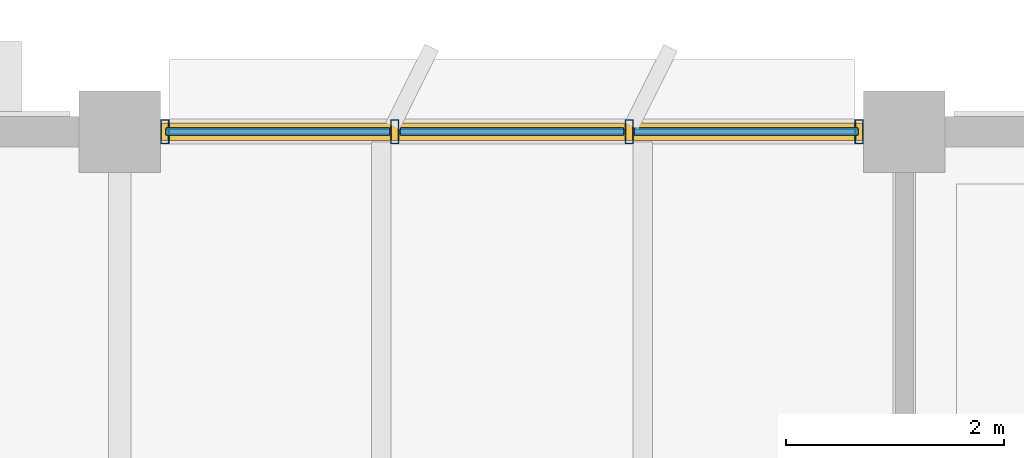
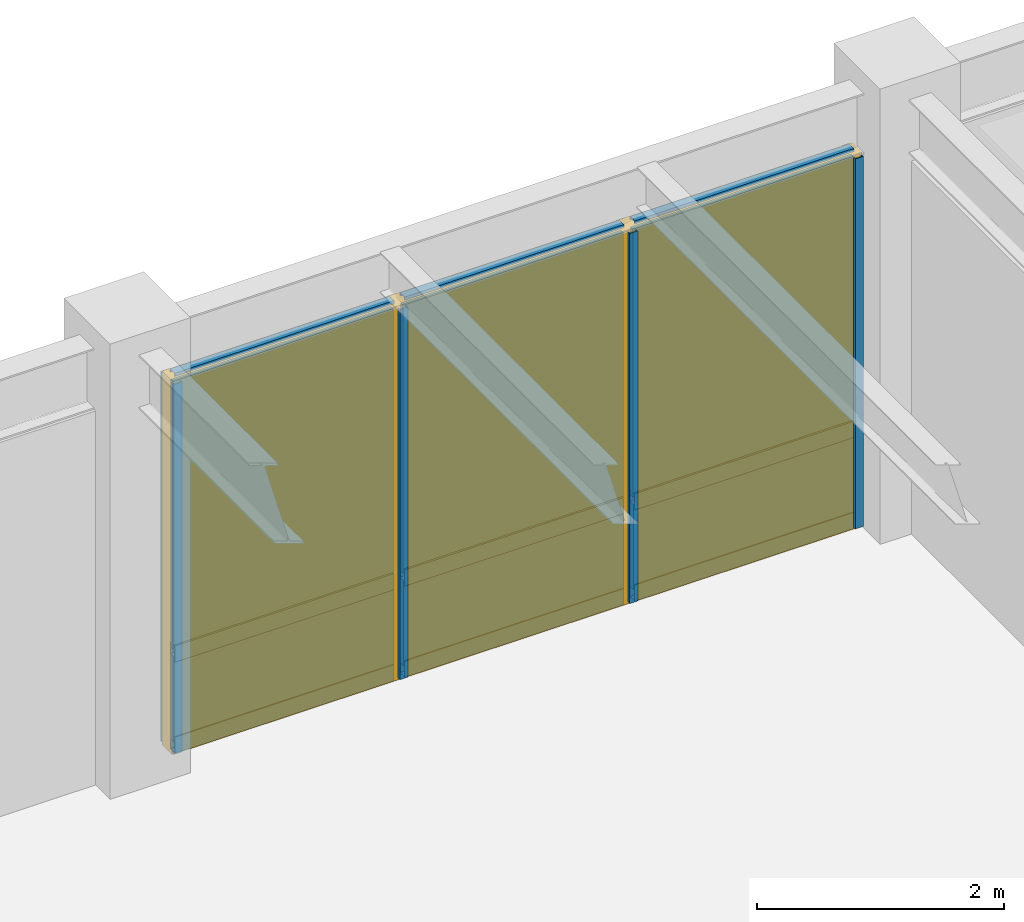
# One storey, part 68 of 92: 13 members, 6 plates, 1 curtain wall.
"""IFC4 building model written with IfcOpenShell, lengths in metres."""

from ifc_helpers import new_model, si_unit, direction, frame, origin, origin_2d, place, context, subcontext, project, spatial, rectangle, hollow_rectangle, extrude, material, layer, layer_set, material_profile, profile_set, type_object, element, aggregate, save


model = new_model("IFC4")

# Units and contexts
model_context = context("Model", 3, precision=1e-05, world=origin(), true_north=direction((0.0, 1.0)))
body_context = subcontext(model_context, "Body", "Model", "MODEL_VIEW")
ifc_project = project(units=[si_unit("LENGTHUNIT", "METRE"), si_unit("AREAUNIT", "SQUARE_METRE"), si_unit("VOLUMEUNIT", "CUBIC_METRE"), si_unit("PLANEANGLEUNIT", "RADIAN"), si_unit("MASSUNIT", "GRAM", prefix="KILO")], contexts=[model_context])

# Member
ifc_material_1 = material(Name="Anodized Aluminium 6063-T6", Category="aluminium")
ifc_material_profile_1 = material_profile(ifc_material_1, hollow_rectangle(XDim=0.074951171875, YDim=0.219970703125, WallThickness=0.0048828125, at=origin_2d()), Name="ALU 75x220x5")
ifc_profile_set_1 = profile_set([ifc_material_profile_1], Name="Anodized Aluminium 6063-T6")
member_type_1 = type_object("IfcMemberType", Name="CWM-75X180", PredefinedType="MULLION", material=ifc_profile_set_1)
site_placement = place(None, origin())
building_placement = place(site_placement, origin())
storey_placement = place(building_placement, frame((0.0, 0.0, 5.39990234375)))
member_1_placement = place(storey_placement, frame((94.014892578125, 115.199951171875, 0.02001953125), z_axis=(0.0, 0.0, 1.0), x_axis=(1.0, 0.0, 0.0)))
member_1 = element("IfcMember", 1, at=member_1_placement, type_object=member_type_1, Name="Curtain wall mullion CW-L02-13-15-N-00", PredefinedType="MULLION", context=body_context, shape_type="SweptSolid", body=[
    extrude(hollow_rectangle(XDim=0.074951171875, YDim=0.219970703125, WallThickness=0.0048828125, at=origin_2d()), origin(), (0.0, 0.0, 1.0), 3.657958984375),
])

member_2_placement = place(storey_placement, frame((96.125, 115.199951171875, 0.02001953125), z_axis=(0.0, 0.0, 1.0), x_axis=(1.0, 0.0, 0.0)))
member_2 = element("IfcMember", 2, at=member_2_placement, type_object=member_type_1, Name="Curtain wall mullion CW-L02-13-15-N-01", PredefinedType="MULLION", context=body_context, shape_type="SweptSolid", body=[
    extrude(hollow_rectangle(XDim=0.074951171875, YDim=0.219970703125, WallThickness=0.0048828125, at=origin_2d()), origin(), (0.0, 0.0, 1.0), 3.657958984375),
])

member_3_placement = place(storey_placement, frame((98.27490234375, 115.199951171875, 0.02001953125), z_axis=(0.0, 0.0, 1.0), x_axis=(1.0, 0.0, 0.0)))
member_3 = element("IfcMember", 3, at=member_3_placement, type_object=member_type_1, Name="Curtain wall mullion CW-L02-13-15-N-02", PredefinedType="MULLION", context=body_context, shape_type="SweptSolid", body=[
    extrude(hollow_rectangle(XDim=0.074951171875, YDim=0.219970703125, WallThickness=0.0048828125, at=origin_2d()), origin(), (0.0, 0.0, 1.0), 3.657958984375),
])

member_4_placement = place(storey_placement, frame((100.385009765625, 115.199951171875, 0.02001953125), z_axis=(0.0, 0.0, 1.0), x_axis=(1.0, 0.0, 0.0)))
member_4 = element("IfcMember", 4, at=member_4_placement, type_object=member_type_1, Name="Curtain wall mullion CW-L02-13-15-N-03", PredefinedType="MULLION", context=body_context, shape_type="SweptSolid", body=[
    extrude(hollow_rectangle(XDim=0.074951171875, YDim=0.219970703125, WallThickness=0.0048828125, at=origin_2d()), origin(), (0.0, 0.0, 1.0), 3.657958984375),
])

ifc_material_profile_2 = material_profile(ifc_material_1, hollow_rectangle(XDim=0.074951171875, YDim=0.159912109375, WallThickness=0.00390625, at=origin_2d()), Name="ALU 75x160x4")
ifc_profile_set_2 = profile_set([ifc_material_profile_2], Name="Anodized Aluminium 6063-T6")
member_type_2 = type_object("IfcMemberType", Name="CWT-75X150", PredefinedType="USERDEFINED", material=ifc_profile_set_2)
member_5_placement = place(storey_placement, frame((94.02490234375, 115.199951171875, 0.050048828125), z_axis=(1.0, 0.0, 0.0), x_axis=(0.0, 1.0, 0.0)))
member_5 = element("IfcMember", 5, at=member_5_placement, type_object=member_type_2, Name="Curtain wall transom CW-L02-13-15-N-1.01", ObjectType="TRANSOM", PredefinedType="USERDEFINED", context=body_context, shape_type="SweptSolid", body=[
    extrude(hollow_rectangle(XDim=0.074951171875, YDim=0.159912109375, WallThickness=0.00390625, at=origin_2d()), origin(), (0.0, 0.0, 1.0), 2.050048828125),
])

member_6_placement = place(storey_placement, frame((96.175048828125, 115.199951171875, 0.050048828125), z_axis=(1.0, 0.0, 0.0), x_axis=(0.0, 1.0, 0.0)))
member_6 = element("IfcMember", 6, at=member_6_placement, type_object=member_type_2, Name="Curtain wall transom CW-L02-13-15-N-1.02", ObjectType="TRANSOM", PredefinedType="USERDEFINED", context=body_context, shape_type="SweptSolid", body=[
    extrude(hollow_rectangle(XDim=0.074951171875, YDim=0.159912109375, WallThickness=0.00390625, at=origin_2d()), origin(), (0.0, 0.0, 1.0), 2.050048828125),
])

member_7_placement = place(storey_placement, frame((98.324951171875, 115.199951171875, 0.050048828125), z_axis=(1.0, 0.0, 0.0), x_axis=(0.0, 1.0, 0.0)))
member_7 = element("IfcMember", 7, at=member_7_placement, type_object=member_type_2, Name="Curtain wall transom CW-L02-13-15-N-1.03", ObjectType="TRANSOM", PredefinedType="USERDEFINED", context=body_context, shape_type="SweptSolid", body=[
    extrude(hollow_rectangle(XDim=0.074951171875, YDim=0.159912109375, WallThickness=0.00390625, at=origin_2d()), origin(), (0.0, 0.0, 1.0), 2.050048828125),
])

member_8_placement = place(storey_placement, frame((94.02490234375, 115.199951171875, 0.9501953125), z_axis=(1.0, 0.0, 0.0), x_axis=(0.0, 1.0, 0.0)))
member_8 = element("IfcMember", 8, at=member_8_placement, type_object=member_type_2, Name="Curtain wall transom CW-L02-13-15-N-2.01", ObjectType="TRANSOM", PredefinedType="USERDEFINED", context=body_context, shape_type="SweptSolid", body=[
    extrude(hollow_rectangle(XDim=0.074951171875, YDim=0.159912109375, WallThickness=0.00390625, at=origin_2d()), origin(), (0.0, 0.0, 1.0), 2.050048828125),
])

member_9_placement = place(storey_placement, frame((96.175048828125, 115.199951171875, 0.9501953125), z_axis=(1.0, 0.0, 0.0), x_axis=(0.0, 1.0, 0.0)))
member_9 = element("IfcMember", 9, at=member_9_placement, type_object=member_type_2, Name="Curtain wall transom CW-L02-13-15-N-2.02", ObjectType="TRANSOM", PredefinedType="USERDEFINED", context=body_context, shape_type="SweptSolid", body=[
    extrude(hollow_rectangle(XDim=0.074951171875, YDim=0.159912109375, WallThickness=0.00390625, at=origin_2d()), origin(), (0.0, 0.0, 1.0), 2.050048828125),
])

member_10_placement = place(storey_placement, frame((98.324951171875, 115.199951171875, 0.9501953125), z_axis=(1.0, 0.0, 0.0), x_axis=(0.0, 1.0, 0.0)))
member_10 = element("IfcMember", 10, at=member_10_placement, type_object=member_type_2, Name="Curtain wall transom CW-L02-13-15-N-2.03", ObjectType="TRANSOM", PredefinedType="USERDEFINED", context=body_context, shape_type="SweptSolid", body=[
    extrude(hollow_rectangle(XDim=0.074951171875, YDim=0.159912109375, WallThickness=0.00390625, at=origin_2d()), origin(), (0.0, 0.0, 1.0), 2.050048828125),
])

member_11_placement = place(storey_placement, frame((94.02490234375, 115.199951171875, 3.648193359375), z_axis=(1.0, 0.0, 0.0), x_axis=(0.0, 1.0, 0.0)))
member_11 = element("IfcMember", 11, at=member_11_placement, type_object=member_type_2, Name="Curtain wall transom CW-L02-13-15-N-3.01", ObjectType="TRANSOM", PredefinedType="USERDEFINED", context=body_context, shape_type="SweptSolid", body=[
    extrude(hollow_rectangle(XDim=0.074951171875, YDim=0.159912109375, WallThickness=0.00390625, at=origin_2d()), origin(), (0.0, 0.0, 1.0), 2.050048828125),
])

member_12_placement = place(storey_placement, frame((96.175048828125, 115.199951171875, 3.648193359375), z_axis=(1.0, 0.0, 0.0), x_axis=(0.0, 1.0, 0.0)))
member_12 = element("IfcMember", 12, at=member_12_placement, type_object=member_type_2, Name="Curtain wall transom CW-L02-13-15-N-3.02", ObjectType="TRANSOM", PredefinedType="USERDEFINED", context=body_context, shape_type="SweptSolid", body=[
    extrude(hollow_rectangle(XDim=0.074951171875, YDim=0.159912109375, WallThickness=0.00390625, at=origin_2d()), origin(), (0.0, 0.0, 1.0), 2.050048828125),
])

member_13_placement = place(storey_placement, frame((98.324951171875, 115.199951171875, 3.648193359375), z_axis=(1.0, 0.0, 0.0), x_axis=(0.0, 1.0, 0.0)))
member_13 = element("IfcMember", 13, at=member_13_placement, type_object=member_type_2, Name="Curtain wall transom CW-L02-13-15-N-3.03", ObjectType="TRANSOM", PredefinedType="USERDEFINED", context=body_context, shape_type="SweptSolid", body=[
    extrude(hollow_rectangle(XDim=0.074951171875, YDim=0.159912109375, WallThickness=0.00390625, at=origin_2d()), origin(), (0.0, 0.0, 1.0), 2.050048828125),
])

# Plate
ifc_material_2 = material(Name="Acoustic Laminated Low-E Glazing", Category="glass")
ifc_layer_1 = layer(ifc_material_2, 0.0439453125)
ifc_layer_set_1 = layer_set([ifc_layer_1], Name="Acoustic Laminated Low-E Glazing")
plate_type_1 = type_object("IfcPlateType", Name="CWP-IGU-44", PredefinedType="CURTAIN_PANEL", material=ifc_layer_set_1)
plate_1_placement = place(storey_placement, frame((95.050048828125, 115.199951171875, 0.990234375), z_axis=(0.0, 0.0, 1.0), x_axis=(1.0, 0.0, 0.0)))
plate_1 = element("IfcPlate", 14, at=plate_1_placement, type_object=plate_type_1, Name="Curtain wall vision glazing CW-L02-13-15-N-01", PredefinedType="CURTAIN_PANEL", context=body_context, shape_type="SweptSolid", body=[
    extrude(rectangle(XDim=2.06005859375, YDim=0.0400390625, at=origin_2d()), origin(), (0.0, 0.0, 1.0), 2.64794921875),
])

plate_2_placement = place(storey_placement, frame((97.199951171875, 115.199951171875, 0.990234375), z_axis=(0.0, 0.0, 1.0), x_axis=(1.0, 0.0, 0.0)))
plate_2 = element("IfcPlate", 15, at=plate_2_placement, type_object=plate_type_1, Name="Curtain wall vision glazing CW-L02-13-15-N-02", PredefinedType="CURTAIN_PANEL", context=body_context, shape_type="SweptSolid", body=[
    extrude(rectangle(XDim=2.06005859375, YDim=0.0400390625, at=origin_2d()), origin(), (0.0, 0.0, 1.0), 2.64794921875),
])

plate_3_placement = place(storey_placement, frame((99.35009765625, 115.199951171875, 0.990234375), z_axis=(0.0, 0.0, 1.0), x_axis=(1.0, 0.0, 0.0)))
plate_3 = element("IfcPlate", 16, at=plate_3_placement, type_object=plate_type_1, Name="Curtain wall vision glazing CW-L02-13-15-N-03", PredefinedType="CURTAIN_PANEL", context=body_context, shape_type="SweptSolid", body=[
    extrude(rectangle(XDim=2.06005859375, YDim=0.0400390625, at=origin_2d()), origin(), (0.0, 0.0, 1.0), 2.64794921875),
])

ifc_material_3 = material(Name="Insulated Stone-Composite Spandrel", Category="masonry")
ifc_layer_2 = layer(ifc_material_3, 0.068115234375)
ifc_layer_set_2 = layer_set([ifc_layer_2], Name="Insulated Stone-Composite Spandrel")
plate_type_2 = type_object("IfcPlateType", Name="CWP-SPN-68", PredefinedType="CURTAIN_PANEL", material=ifc_layer_set_2)
plate_4_placement = place(storey_placement, frame((95.050048828125, 115.199951171875, 0.080078125), z_axis=(0.0, 0.0, 1.0), x_axis=(1.0, 0.0, 0.0)))
plate_4 = element("IfcPlate", 17, at=plate_4_placement, type_object=plate_type_2, Name="Curtain wall spandrel panel CW-L02-13-15-N-01", PredefinedType="CURTAIN_PANEL", context=body_context, shape_type="SweptSolid", body=[
    extrude(rectangle(XDim=2.06005859375, YDim=0.06005859375, at=origin_2d()), origin(), (0.0, 0.0, 1.0), 0.840087890625),
])

plate_5_placement = place(storey_placement, frame((97.199951171875, 115.199951171875, 0.080078125), z_axis=(0.0, 0.0, 1.0), x_axis=(1.0, 0.0, 0.0)))
plate_5 = element("IfcPlate", 18, at=plate_5_placement, type_object=plate_type_2, Name="Curtain wall spandrel panel CW-L02-13-15-N-02", PredefinedType="CURTAIN_PANEL", context=body_context, shape_type="SweptSolid", body=[
    extrude(rectangle(XDim=2.06005859375, YDim=0.06005859375, at=origin_2d()), origin(), (0.0, 0.0, 1.0), 0.840087890625),
])

plate_6_placement = place(storey_placement, frame((99.35009765625, 115.199951171875, 0.080078125), z_axis=(0.0, 0.0, 1.0), x_axis=(1.0, 0.0, 0.0)))
plate_6 = element("IfcPlate", 19, at=plate_6_placement, type_object=plate_type_2, Name="Curtain wall spandrel panel CW-L02-13-15-N-03", PredefinedType="CURTAIN_PANEL", context=body_context, shape_type="SweptSolid", body=[
    extrude(rectangle(XDim=2.06005859375, YDim=0.06005859375, at=origin_2d()), origin(), (0.0, 0.0, 1.0), 0.840087890625),
])

# Site, building, storey
site = spatial("IfcSite", under=ifc_project, at=site_placement, CompositionType="ELEMENT")
building = spatial("IfcBuilding", under=site, at=building_placement, Name="Sillqori Civic Hall", CompositionType="ELEMENT")
storey = spatial("IfcBuildingStorey", under=building, at=storey_placement, Name="L02", CompositionType="ELEMENT", Elevation=5.39990234375)

# Curtain wall
ifc_material_4 = material(Name="Anodized Aluminium Curtain Wall System", Category="aluminium")
curtain_wall_type = type_object("IfcCurtainWallType", Name="CW-GL-430", PredefinedType="NOTDEFINED", material=ifc_material_4)
curtain_wall_placement = place(storey_placement, frame((97.199951171875, 115.199951171875, 0.0), z_axis=(0.0, 0.0, 1.0), x_axis=(1.0, 0.0, 0.0)))
curtain_wall = element("IfcCurtainWall", 20, at=curtain_wall_placement, inside=storey, type_object=curtain_wall_type, Name="L02 unitised curtain wall CW-L02-13-15-N", PredefinedType="NOTDEFINED", context=body_context, shape_type="SweptSolid", body=[
    extrude(rectangle(XDim=6.449951171875, YDim=0.159912109375, at=origin_2d()), origin(), (0.0, 0.0, 1.0), 3.697998046875),
])

aggregate(curtain_wall, [member_1, member_2, member_3, member_4, member_5, member_6, member_7, member_8, member_9, member_10, member_11, member_12, member_13, plate_4, plate_1, plate_5, plate_2, plate_6, plate_3])

save(model, "model.ifc")
